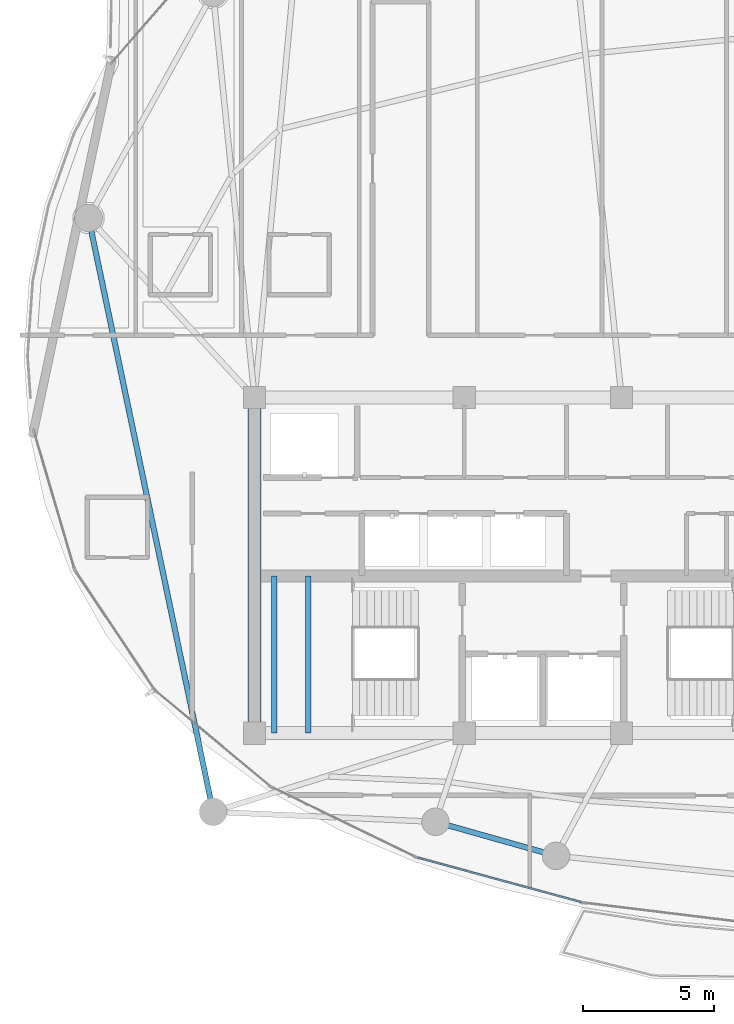
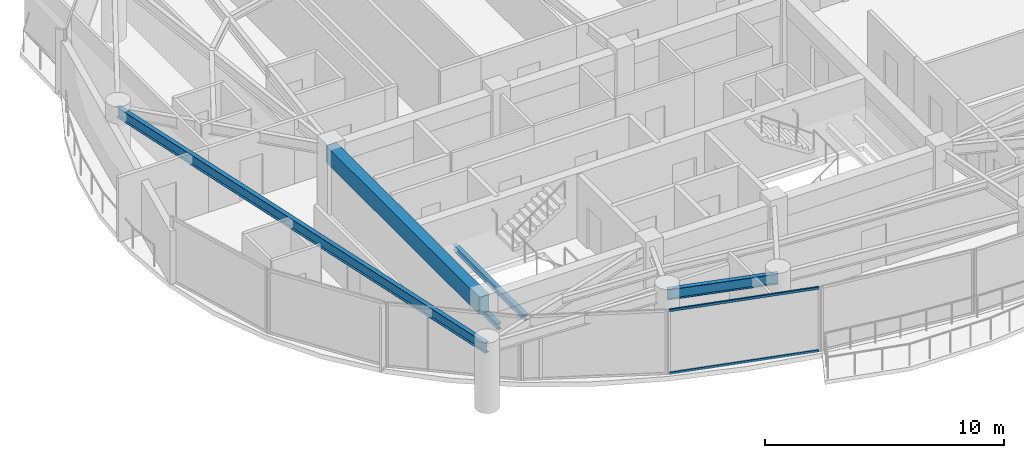
# One storey, part 4 of 29: 5 beams, 2 members, 1 element without a shape of its own.
"""IFC4 building model written with IfcOpenShell, lengths in metres."""

from ifc_helpers import new_model, si_unit, direction, frame, origin, origin_2d, place, context, subcontext, project, spatial, rectangle, hollow_rectangle, i_section, extrude, material, layer, layer_set, material_profile, profile_set, type_object, element, aggregate, save


model = new_model("IFC4")

# Units and contexts
model_context = context("Model", 3, precision=1e-05, world=origin(), true_north=direction((0.0, 1.0)))
body_context = subcontext(model_context, "Body", "Model", "MODEL_VIEW")
ifc_project = project(units=[si_unit("LENGTHUNIT", "METRE"), si_unit("AREAUNIT", "SQUARE_METRE"), si_unit("VOLUMEUNIT", "CUBIC_METRE"), si_unit("PLANEANGLEUNIT", "RADIAN"), si_unit("MASSUNIT", "GRAM", prefix="KILO")], contexts=[model_context])

# Site, building, storey
site_placement = place(None, origin())
site = spatial("IfcSite", under=ifc_project, at=site_placement, CompositionType="ELEMENT")
building_placement = place(site_placement, origin())
building = spatial("IfcBuilding", under=site, at=building_placement, Name="Kazevale Care Tower and Concert Hall", CompositionType="ELEMENT")
storey_placement = place(building_placement, frame((0.0, 0.0, 249.60009765625)))
storey = spatial("IfcBuildingStorey", under=building, at=storey_placement, Name="L66", CompositionType="ELEMENT", Elevation=249.60009765625)

# Curtain wall, members
ifc_material_1 = material(Name="Aluminium 6063-T6 and Low-E Glass", Category="aluminium")
ifc_layer = layer(ifc_material_1, 0.179931640625)
ifc_layer_set = layer_set([ifc_layer], Name="Aluminium 6063-T6 and Low-E Glass")
curtain_wall_type = type_object("IfcCurtainWallType", Name="Sheltered Concave Balcony Curtain Wall CW-5", PredefinedType="NOTDEFINED", material=ifc_layer_set)
curtain_wall_placement = place(storey_placement, origin())
curtain_wall = element("IfcCurtainWall", 1, at=curtain_wall_placement, inside=storey, type_object=curtain_wall_type, Name="cw:L66:f08", PredefinedType="NOTDEFINED")
ifc_material_2 = material(Name="Aluminium 6063-T6", Category="aluminium")
ifc_material_profile_1 = material_profile(ifc_material_2, hollow_rectangle(XDim=0.074951171875, YDim=0.1201171875, WallThickness=0.00390625, at=origin_2d()), Name="ALU75x120x4")
ifc_profile_set_1 = profile_set([ifc_material_profile_1], Name="Aluminium 6063-T6")
member_type = type_object("IfcMemberType", Name="CW-5 Transom ALU75x120x4", PredefinedType="USERDEFINED", material=ifc_profile_set_1)
member_1_placement = place(storey_placement, frame((34.458740234375, 17.15283203125, 0.037353515625), z_axis=(-0.964843890632, 0.262823641842, 0.0), x_axis=(-0.262823641842, -0.964843890632, 0.0)))
member_1 = element("IfcMember", 2, at=member_1_placement, type_object=member_type, Name="CW-5 transom 1.1", ObjectType="TRANSOM", PredefinedType="USERDEFINED", context=body_context, shape_type="SweptSolid", body=[
    extrude(hollow_rectangle(XDim=0.074951171875, YDim=0.1201171875, WallThickness=0.00390625, at=origin_2d()), origin(), (0.0, 0.0, 1.0), 6.469970703125),
])
member_2_placement = place(storey_placement, frame((34.458740234375, 17.15283203125, 3.242431640625), z_axis=(-0.964843890632, 0.262823641842, 0.0), x_axis=(-0.262823641842, -0.964843890632, 0.0)))
member_2 = element("IfcMember", 3, at=member_2_placement, type_object=member_type, Name="CW-5 transom 1.2", ObjectType="TRANSOM", PredefinedType="USERDEFINED", context=body_context, shape_type="SweptSolid", body=[
    extrude(hollow_rectangle(XDim=0.074951171875, YDim=0.1201171875, WallThickness=0.00390625, at=origin_2d()), origin(), (0.0, 0.0, 1.0), 6.469970703125),
])
aggregate(curtain_wall, [member_1, member_2])

# Beams
ifc_material_3 = material(Name="Concrete C60", Category="concrete")
ifc_material_profile_2 = material_profile(ifc_material_3, rectangle(XDim=0.5, YDim=0.85009765625, at=origin_2d()), Name="RC-B500x850")
ifc_profile_set_2 = profile_set([ifc_material_profile_2], Name="Concrete C60")
beam_type_1 = type_object("IfcBeamType", Name="Core Coupling Beam RC500x850", PredefinedType="LINTEL", material=ifc_profile_set_2)
beam_1_placement = place(storey_placement, frame((22.0, 36.39990234375, 2.85498046875), z_axis=(0.0, -1.0, 0.0), x_axis=(1.0, 0.0, 0.0)))
element("IfcBeam", 4, at=beam_1_placement, inside=storey, type_object=beam_type_1, Name="beam:L66:coretie:8", PredefinedType="LINTEL", context=body_context, shape_type="SweptSolid", body=[
    extrude(rectangle(XDim=0.5, YDim=0.85009765625, at=origin_2d()), origin(), (0.0, 0.0, 1.0), 12.7998046875),
])
ifc_material_4 = material(Name="Steel ASTM A572 Gr 50", Category="steel")
ifc_material_profile_3 = material_profile(ifc_material_4, i_section(OverallWidth=0.202880859375, OverallDepth=0.302978515625, WebThickness=0.007568359375, FlangeThickness=0.01318359375, at=origin_2d()), Name="W310x60")
ifc_profile_set_3 = profile_set([ifc_material_profile_3], Name="Steel ASTM A572 Gr 50")
beam_type_2 = type_object("IfcBeamType", Name="Stair & Balcony Trimmer W310x60", PredefinedType="BEAM", material=ifc_profile_set_3)
for number, where, z_axis, x_axis, name in (
    (5, (22.75, 23.60009765625, 1.448486328125), (0.0, 1.0, 0.0), (-1.0, 0.0, 0.0), "beam:L66:sttrim:ST1"),
    (6, (24.050048828125, 23.60009765625, 1.448486328125), (0.0, 1.0, 0.0), (-1.0, 0.0, 0.0), "beam:L66:sttrim:ST1b"),
):
    element("IfcBeam", number, at=place(storey_placement, frame(where, z_axis=z_axis, x_axis=x_axis)), inside=storey, type_object=beam_type_2, Name=name, PredefinedType="BEAM", context=body_context, shape_type="SweptSolid", body=[
        extrude(i_section(OverallWidth=0.202880859375, OverallDepth=0.302978515625, WebThickness=0.007568359375, FlangeThickness=0.01318359375, at=origin_2d()), origin(), (0.0, 0.0, 1.0), 6.0),
    ])
ifc_material_profile_4 = material_profile(ifc_material_4, i_section(OverallWidth=0.208984375, OverallDepth=0.532958984375, WebThickness=0.01025390625, FlangeThickness=0.015625, at=origin_2d()), Name="W530x92")
ifc_profile_set_4 = profile_set([ifc_material_profile_4], Name="Steel ASTM A572 Gr 50")
beam_type_3 = type_object("IfcBeamType", Name="Upper Ring Beam W530x92", PredefinedType="BEAM", material=ifc_profile_set_4)
beam_2_placement = place(storey_placement, frame((15.669921875, 43.25, 3.013427734375), z_axis=(0.205249071222, -0.978709772488, 0.0), x_axis=(0.978709772488, 0.205249071222, 0.0)))
element("IfcBeam", 7, at=beam_2_placement, inside=storey, type_object=beam_type_3, Name="beam:L66:ring:09", PredefinedType="BEAM", context=body_context, shape_type="SweptSolid", body=[
    extrude(i_section(OverallWidth=0.208984375, OverallDepth=0.532958984375, WebThickness=0.01025390625, FlangeThickness=0.015625, at=origin_2d()), origin(), (0.0, 0.0, 1.0), 23.142578125),
])
beam_3_placement = place(storey_placement, frame((28.89990234375, 20.219970703125, 3.013427734375), z_axis=(0.962308240836, -0.271961117846, 0.0), x_axis=(0.271961117846, 0.962308240836, 0.0)))
element("IfcBeam", 8, at=beam_3_placement, inside=storey, type_object=beam_type_3, Name="beam:L66:ring:11", PredefinedType="BEAM", context=body_context, shape_type="SweptSolid", body=[
    extrude(i_section(OverallWidth=0.208984375, OverallDepth=0.532958984375, WebThickness=0.01025390625, FlangeThickness=0.015625, at=origin_2d()), origin(), (0.0, 0.0, 1.0), 4.7802734375),
])

save(model, "model.ifc")
